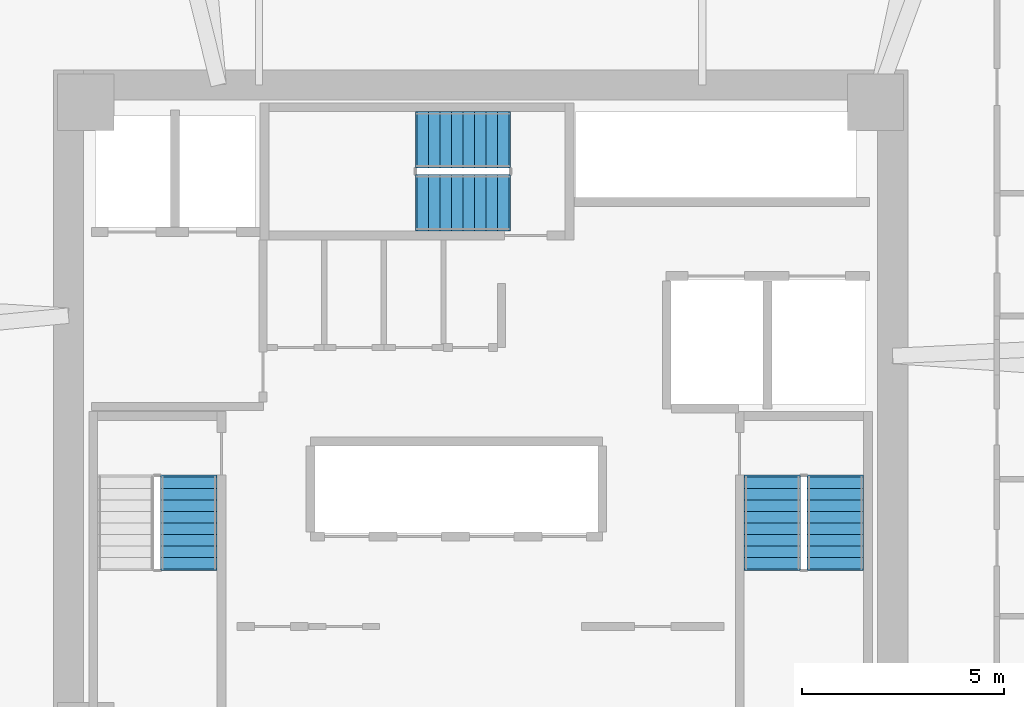
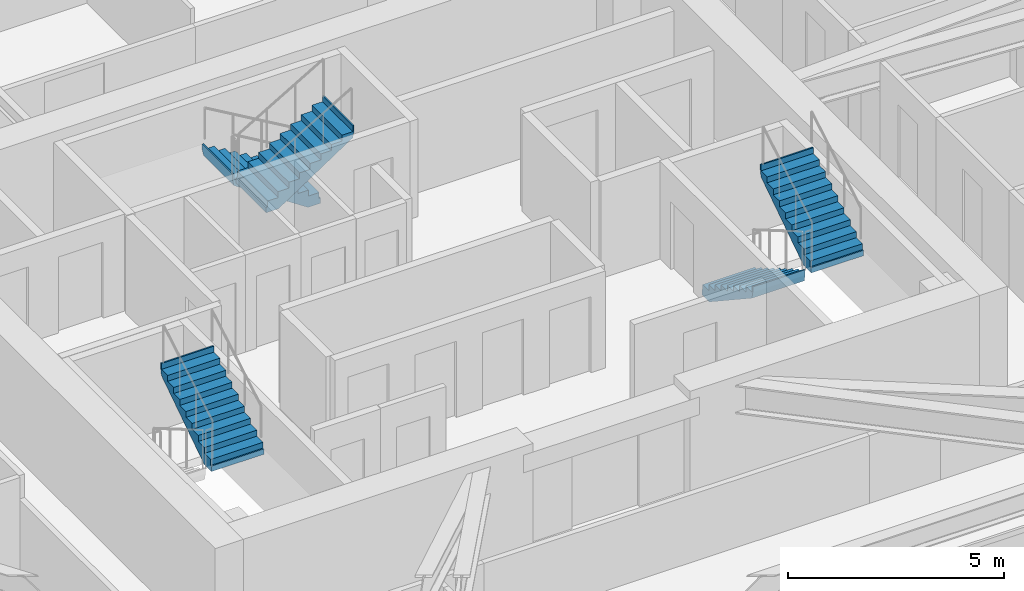
# One storey, part 16 of 17: 5 stair flights, 3 elements without a shape of their own.
"""IFC4 building model written with IfcOpenShell, lengths in metres."""

import ifcopenshell
import ifcopenshell.guid

model = None  # the IFC model being written
_history = None  # IfcOwnerHistory: only IFC2X3 demands one
_inside = {}  # id of a spatial element -> (the spatial element, [elements in it])
_under = {}  # id of a project, library or spatial element -> (it, [spatial elements below it])
_declared = {}  # id of a project -> (the project, [libraries it declares])
_typed = {}  # id of a type object -> (the type object, [elements of that type])
_made_of = {}  # id of a material, layer set ... -> (it, [elements and type objects made of it])


def new_model(schema):
    """Start an empty IFC model of exactly this schema.

    Asked for "IFC4X3", IfcOpenShell would pick the latest addendum, in which some entities
    have other attributes; the version numbers below select the first issue.
    IFC2X3 requires an IfcOwnerHistory on every rooted entity: one is made here for all.
    """
    global model, _history
    if schema == "IFC4X3":
        model = ifcopenshell.file(schema_version=(4, 3, 0, 0))
    else:
        model = ifcopenshell.file(schema=schema)
    _inside.clear()
    _under.clear()
    _declared.clear()
    _typed.clear()
    _made_of.clear()
    _history = None
    if model.schema == "IFC2X3":
        org = make("IfcOrganization", Name="unknown")
        user = make(
            "IfcPersonAndOrganization",
            ThePerson=make("IfcPerson", FamilyName="unknown"),
            TheOrganization=org,
        )
        app = make(
            "IfcApplication",
            ApplicationDeveloper=org,
            Version="unknown",
            ApplicationFullName="unknown",
            ApplicationIdentifier="unknown",
        )
        _history = make(
            "IfcOwnerHistory",
            OwningUser=user,
            OwningApplication=app,
            ChangeAction="ADDED",
            CreationDate=0,
        )
    return model


def make(cls, **values):
    """One entity of the class cls with the attributes given. An attribute that is None is left unset."""
    return model.create_entity(
        cls, **{name: value for name, value in values.items() if value is not None}
    )


def rooted(cls, **values):
    """An entity with a GlobalId (a new one), such as an element, a storey or a relation."""
    return make(cls, GlobalId=ifcopenshell.guid.new(), OwnerHistory=_history, **values)


def si_unit(unit_type, name, prefix=None):
    """IfcSIUnit, for example si_unit("LENGTHUNIT", "METRE", prefix="MILLI")."""
    return make("IfcSIUnit", UnitType=unit_type, Prefix=prefix, Name=name)


def assignment(units):
    """IfcUnitAssignment: the units of a project."""
    return None if units is None else make("IfcUnitAssignment", Units=units)


def point(xyz):
    """IfcCartesianPoint."""
    return None if xyz is None else make("IfcCartesianPoint", Coordinates=xyz)


def direction(xyz):
    """IfcDirection."""
    return None if xyz is None else make("IfcDirection", DirectionRatios=xyz)


def frame(location, z_axis=None, x_axis=None):
    """IfcAxis2Placement3D, a coordinate frame: its origin and axes. An axis left out is left unset."""
    return make(
        "IfcAxis2Placement3D",
        Location=point(location),
        Axis=direction(z_axis),
        RefDirection=direction(x_axis),
    )


def origin():
    """The frame at (0, 0, 0) with its axes left unset."""
    return frame((0.0, 0.0, 0.0))


def place(relative_to, where):
    """IfcLocalPlacement: puts the frame where relative to a parent placement (None: the world)."""
    return make(
        "IfcLocalPlacement", PlacementRelTo=relative_to, RelativePlacement=where
    )


def context(
    kind, dimensions, precision=None, world=None, true_north=None, identifier=None
):
    """IfcGeometricRepresentationContext, for example the 3D "Model" context."""
    return make(
        "IfcGeometricRepresentationContext",
        ContextIdentifier=identifier,
        ContextType=kind,
        CoordinateSpaceDimension=dimensions,
        Precision=precision,
        WorldCoordinateSystem=world,
        TrueNorth=true_north,
    )


def subcontext(parent, identifier, kind, view, scale=None):
    """IfcGeometricRepresentationSubContext, for example "Body" below "Model"."""
    return make(
        "IfcGeometricRepresentationSubContext",
        ContextIdentifier=identifier,
        ContextType=kind,
        ParentContext=parent,
        TargetScale=scale,
        TargetView=view,
    )


def project(units=None, contexts=None):
    """IfcProject with its units and contexts."""
    return rooted(
        "IfcProject",
        Name="project",
        RepresentationContexts=contexts,
        UnitsInContext=assignment(units),
    )


def spatial(cls, under=None, at=None, **own):
    """A site, building, storey or space (cls), placed at a placement, below another one or the project."""
    s = rooted(cls, ObjectPlacement=at, **own)
    if under is not None:
        _under.setdefault(under.id(), (under, []))[1].append(s)
    return s


def polyline(points):
    """IfcPolyline through the points."""
    return make("IfcPolyline", Points=[point(p) for p in points])


def outline(outer, holes=None, kind="AREA"):
    """IfcArbitraryClosedProfileDef: a profile drawn as a closed curve; with holes, ...WithVoids."""
    if holes is None:
        return make("IfcArbitraryClosedProfileDef", ProfileType=kind, OuterCurve=outer)
    return make(
        "IfcArbitraryProfileDefWithVoids",
        ProfileType=kind,
        OuterCurve=outer,
        InnerCurves=holes,
    )


def extrude(swept, where, along, depth):
    """IfcExtrudedAreaSolid: the profile swept, set in the frame where, extruded along a direction by depth."""
    return make(
        "IfcExtrudedAreaSolid",
        SweptArea=swept,
        Position=where,
        ExtrudedDirection=direction(along),
        Depth=depth,
    )


def shape(context_of_items, identifier, shape_type, items):
    """IfcShapeRepresentation: the items that make up one representation, for example the "Body"."""
    return make(
        "IfcShapeRepresentation",
        ContextOfItems=context_of_items,
        RepresentationIdentifier=identifier,
        RepresentationType=shape_type,
        Items=items,
    )


def material(Name=None, Category=None):
    """IfcMaterial."""
    return make("IfcMaterial", Name=Name, Category=Category)


def made_of(thing, what):
    """Note that an element or type object is made of a material, layer set ...; save() writes the relation."""
    if what is not None:
        _made_of.setdefault(what.id(), (what, []))[1].append(thing)
    return thing


def type_object(cls, material=None, **own):
    """A type object (cls), such as IfcWallType, which elements share."""
    return made_of(rooted(cls, **own), material)


def element(
    cls,
    number,
    at=None,
    inside=None,
    cuts=None,
    type_object=None,
    material=None,
    context=None,
    identifier="Body",
    shape_type=None,
    held_by="IfcProductDefinitionShape",
    body=None,
    shapes=None,
    **own,
):
    """One element of the class cls, such as IfcWall. Its Tag is "e" and its number.

    at: its placement. inside: the storey or other place that contains it. cuts: it is an
    opening in that element (IfcRelVoidsElement). A single representation is given by context,
    identifier, shape_type and body (its items); several are given by shapes. held_by: the class
    of the entity that holds the representations. save() writes the other relations.
    """
    e = rooted(cls, Tag="e%d" % number, ObjectPlacement=at, **own)
    if body is not None:
        shapes = [shape(context, identifier, shape_type, body)]
    if shapes is not None:
        e.Representation = make(held_by, Representations=shapes)
    if inside is not None:
        _inside.setdefault(inside.id(), (inside, []))[1].append(e)
    if cuts is not None:
        rooted(
            "IfcRelVoidsElement", RelatingBuildingElement=cuts, RelatedOpeningElement=e
        )
    if type_object is not None:
        _typed.setdefault(type_object.id(), (type_object, []))[1].append(e)
    return made_of(e, material)


def aggregate(whole, parts):
    """IfcRelAggregates: a whole, such as a stair, and the parts it consists of."""
    return rooted("IfcRelAggregates", RelatingObject=whole, RelatedObjects=parts)


def save(model, path):
    """Write the relations noted so far, then the file.

    IfcRelAggregates (storeys below a building ...), IfcRelContainedInSpatialStructure (elements
    in a storey), IfcRelDefinesByType, IfcRelAssociatesMaterial and IfcRelDeclares: one each for
    every whole, place, type object, material and project.
    """
    for whole, parts in _under.values():
        aggregate(whole, parts)
    for where, things in _inside.values():
        rooted(
            "IfcRelContainedInSpatialStructure",
            RelatedElements=things,
            RelatingStructure=where,
        )
    for kind, things in _typed.values():
        rooted("IfcRelDefinesByType", RelatedObjects=things, RelatingType=kind)
    for what, things in _made_of.values():
        rooted("IfcRelAssociatesMaterial", RelatedObjects=things, RelatingMaterial=what)
    for by, libraries in _declared.values():
        rooted("IfcRelDeclares", RelatingContext=by, RelatedDefinitions=libraries)
    model.write(path)


model = new_model("IFC4")

# Units and contexts
model_context = context("Model", 3, precision=1e-05, world=origin(), true_north=direction((0.0, 1.0)))
body_context = subcontext(model_context, "Body", "Model", "MODEL_VIEW")
ifc_project = project(units=[si_unit("LENGTHUNIT", "METRE"), si_unit("AREAUNIT", "SQUARE_METRE"), si_unit("VOLUMEUNIT", "CUBIC_METRE"), si_unit("PLANEANGLEUNIT", "RADIAN"), si_unit("MASSUNIT", "GRAM", prefix="KILO")], contexts=[model_context])

# Site, building, storey
site_placement = place(None, origin())
site = spatial("IfcSite", under=ifc_project, at=site_placement, CompositionType="ELEMENT")
building_placement = place(site_placement, origin())
building = spatial("IfcBuilding", under=site, at=building_placement, Name="Durnholm Broadcast Tower", CompositionType="ELEMENT")
storey_placement = place(building_placement, frame((0.0, 0.0, 137.10009765625)))
storey = spatial("IfcBuildingStorey", under=building, at=storey_placement, Name="L37", CompositionType="ELEMENT", Elevation=137.10009765625)

# Stair, stair flight
ifc_material = material(Name="Concrete C50/60", Category="concrete")
stair_type = type_object("IfcStairType", Name="STAIR-DL-18R1667", PredefinedType="HALF_TURN_STAIR", material=ifc_material)
stair_1_placement = place(storey_placement, origin())
stair_1 = element("IfcStair", 1, at=stair_1_placement, inside=storey, type_object=stair_type, Name="L37 ST-1", PredefinedType="HALF_TURN_STAIR")
stair_flight_type = type_object("IfcStairFlightType", Name="FLIGHT-DL-18R1667", PredefinedType="STRAIGHT", material=ifc_material)
stair_flight_1_placement = place(storey_placement, frame((-7.239990234375, -3.780029296875, 1.5), z_axis=(0.0, 0.0, 1.0), x_axis=(0.0, 1.0, 0.0)))
stair_flight_1 = element("IfcStairFlight", 2, at=stair_flight_1_placement, type_object=stair_flight_type, Name="ST-1 flight 2", NumberOfRisers=9, NumberOfTreads=8, PredefinedType="STRAIGHT", RiserHeight=0.166666667, TreadLength=0.285, context=body_context, shape_type="SweptSolid", body=[
    extrude(outline(polyline([(-0.0400390625, -0.14990234375), (-0.0400390625, 0.0), (0.0, 0.0), (0.0, 0.166748046875), (0.284912109375, 0.166748046875), (0.284912109375, 0.333251953125), (0.570068359375, 0.333251953125), (0.570068359375, 0.5), (0.85498046875, 0.5), (0.85498046875, 0.666748046875), (1.139892578125, 0.666748046875), (1.139892578125, 0.833251953125), (1.425048828125, 0.833251953125), (1.425048828125, 1.0), (1.7099609375, 1.0), (1.7099609375, 1.166748046875), (1.9951171875, 1.166748046875), (1.9951171875, 1.333251953125), (2.280029296875, 1.333251953125), (2.280029296875, 1.5), (2.320068359375, 1.5), (2.320068359375, 1.35009765625), (2.280029296875, 1.15966796875), (0.296875, -0.14990234375), (-0.0400390625, -0.14990234375)])), frame((0.0, 0.699951171875, 0.0), z_axis=(0.0, -1.0, 0.0), x_axis=(1.0, 0.0, 0.0)), (0.0, 0.0, 1.0), 1.39990234375),
])
aggregate(stair_1, [stair_flight_1])

# Stair, stair flights
stair_2_placement = place(storey_placement, origin())
stair_2 = element("IfcStair", 3, at=stair_2_placement, inside=storey, type_object=stair_type, Name="L37 ST-2", PredefinedType="HALF_TURN_STAIR")
stair_flight_2_placement = place(storey_placement, frame((7.239990234375, -1.5, 0.0), z_axis=(0.0, 0.0, 1.0), x_axis=(0.0, -1.0, 0.0)))
stair_flight_2 = element("IfcStairFlight", 4, at=stair_flight_2_placement, type_object=stair_flight_type, Name="ST-2 flight 1", NumberOfRisers=9, NumberOfTreads=8, PredefinedType="STRAIGHT", RiserHeight=0.166666667, TreadLength=0.285, context=body_context, shape_type="SweptSolid", body=[
    extrude(outline(polyline([(-0.0400390625, -0.14990234375), (-0.0400390625, 0.0), (0.0, 0.0), (0.0, 0.166748046875), (0.284912109375, 0.166748046875), (0.284912109375, 0.333251953125), (0.570068359375, 0.333251953125), (0.570068359375, 0.5), (0.85498046875, 0.5), (0.85498046875, 0.666748046875), (1.139892578125, 0.666748046875), (1.139892578125, 0.833251953125), (1.425048828125, 0.833251953125), (1.425048828125, 1.0), (1.7099609375, 1.0), (1.7099609375, 1.166748046875), (1.9951171875, 1.166748046875), (1.9951171875, 1.333251953125), (2.280029296875, 1.333251953125), (2.280029296875, 1.5), (2.320068359375, 1.5), (2.320068359375, 1.35009765625), (2.280029296875, 1.15966796875), (0.296875, -0.14990234375), (-0.0400390625, -0.14990234375)])), frame((0.0, 0.699951171875, 0.0), z_axis=(0.0, -1.0, 0.0), x_axis=(1.0, 0.0, 0.0)), (0.0, 0.0, 1.0), 1.39990234375),
])
stair_flight_3_placement = place(storey_placement, frame((8.800048828125, -3.780029296875, 1.5), z_axis=(0.0, 0.0, 1.0), x_axis=(0.0, 1.0, 0.0)))
stair_flight_3 = element("IfcStairFlight", 5, at=stair_flight_3_placement, type_object=stair_flight_type, Name="ST-2 flight 2", NumberOfRisers=9, NumberOfTreads=8, PredefinedType="STRAIGHT", RiserHeight=0.166666667, TreadLength=0.285, context=body_context, shape_type="SweptSolid", body=[
    extrude(outline(polyline([(-0.0400390625, -0.14990234375), (-0.0400390625, 0.0), (0.0, 0.0), (0.0, 0.166748046875), (0.284912109375, 0.166748046875), (0.284912109375, 0.333251953125), (0.570068359375, 0.333251953125), (0.570068359375, 0.5), (0.85498046875, 0.5), (0.85498046875, 0.666748046875), (1.139892578125, 0.666748046875), (1.139892578125, 0.833251953125), (1.425048828125, 0.833251953125), (1.425048828125, 1.0), (1.7099609375, 1.0), (1.7099609375, 1.166748046875), (1.9951171875, 1.166748046875), (1.9951171875, 1.333251953125), (2.280029296875, 1.333251953125), (2.280029296875, 1.5), (2.320068359375, 1.5), (2.320068359375, 1.35009765625), (2.280029296875, 1.15966796875), (0.296875, -0.14990234375), (-0.0400390625, -0.14990234375)])), frame((0.0, 0.699951171875, 0.0), z_axis=(0.0, -1.0, 0.0), x_axis=(1.0, 0.0, 0.0)), (0.0, 0.0, 1.0), 1.39990234375),
])
aggregate(stair_2, [stair_flight_2, stair_flight_3])

stair_3_placement = place(storey_placement, origin())
stair_3 = element("IfcStair", 6, at=stair_3_placement, inside=storey, type_object=stair_type, Name="L37 ST-3", PredefinedType="HALF_TURN_STAIR")
stair_flight_4_placement = place(storey_placement, frame((0.699951171875, 6.860107421875, 0.0), z_axis=(0.0, 0.0, 1.0), x_axis=(-1.0, 0.0, 0.0)))
stair_flight_4 = element("IfcStairFlight", 7, at=stair_flight_4_placement, type_object=stair_flight_type, Name="ST-3 flight 1", NumberOfRisers=9, NumberOfTreads=8, PredefinedType="STRAIGHT", RiserHeight=0.166666667, TreadLength=0.285, context=body_context, shape_type="SweptSolid", body=[
    extrude(outline(polyline([(-0.0400390625, -0.14990234375), (-0.0400390625, 0.0), (0.0, 0.0), (0.0, 0.166748046875), (0.284912109375, 0.166748046875), (0.284912109375, 0.333251953125), (0.570068359375, 0.333251953125), (0.570068359375, 0.5), (0.85498046875, 0.5), (0.85498046875, 0.666748046875), (1.139892578125, 0.666748046875), (1.139892578125, 0.833251953125), (1.425048828125, 0.833251953125), (1.425048828125, 1.0), (1.7099609375, 1.0), (1.7099609375, 1.166748046875), (1.9951171875, 1.166748046875), (1.9951171875, 1.333251953125), (2.280029296875, 1.333251953125), (2.280029296875, 1.5), (2.320068359375, 1.5), (2.320068359375, 1.35009765625), (2.280029296875, 1.15966796875), (0.296875, -0.14990234375), (-0.0400390625, -0.14990234375)])), frame((0.0, 0.699951171875, 0.0), z_axis=(0.0, -1.0, 0.0), x_axis=(1.0, 0.0, 0.0)), (0.0, 0.0, 1.0), 1.39990234375),
])
stair_flight_5_placement = place(storey_placement, frame((-1.580078125, 5.300048828125, 1.5), z_axis=(0.0, 0.0, 1.0), x_axis=(1.0, 0.0, 0.0)))
stair_flight_5 = element("IfcStairFlight", 8, at=stair_flight_5_placement, type_object=stair_flight_type, Name="ST-3 flight 2", NumberOfRisers=9, NumberOfTreads=8, PredefinedType="STRAIGHT", RiserHeight=0.166666667, TreadLength=0.285, context=body_context, shape_type="SweptSolid", body=[
    extrude(outline(polyline([(-0.0400390625, -0.14990234375), (-0.0400390625, 0.0), (0.0, 0.0), (0.0, 0.166748046875), (0.284912109375, 0.166748046875), (0.284912109375, 0.333251953125), (0.570068359375, 0.333251953125), (0.570068359375, 0.5), (0.85498046875, 0.5), (0.85498046875, 0.666748046875), (1.139892578125, 0.666748046875), (1.139892578125, 0.833251953125), (1.425048828125, 0.833251953125), (1.425048828125, 1.0), (1.7099609375, 1.0), (1.7099609375, 1.166748046875), (1.9951171875, 1.166748046875), (1.9951171875, 1.333251953125), (2.280029296875, 1.333251953125), (2.280029296875, 1.5), (2.320068359375, 1.5), (2.320068359375, 1.35009765625), (2.280029296875, 1.15966796875), (0.296875, -0.14990234375), (-0.0400390625, -0.14990234375)])), frame((0.0, 0.699951171875, 0.0), z_axis=(0.0, -1.0, 0.0), x_axis=(1.0, 0.0, 0.0)), (0.0, 0.0, 1.0), 1.39990234375),
])
aggregate(stair_3, [stair_flight_4, stair_flight_5])

save(model, "model.ifc")
